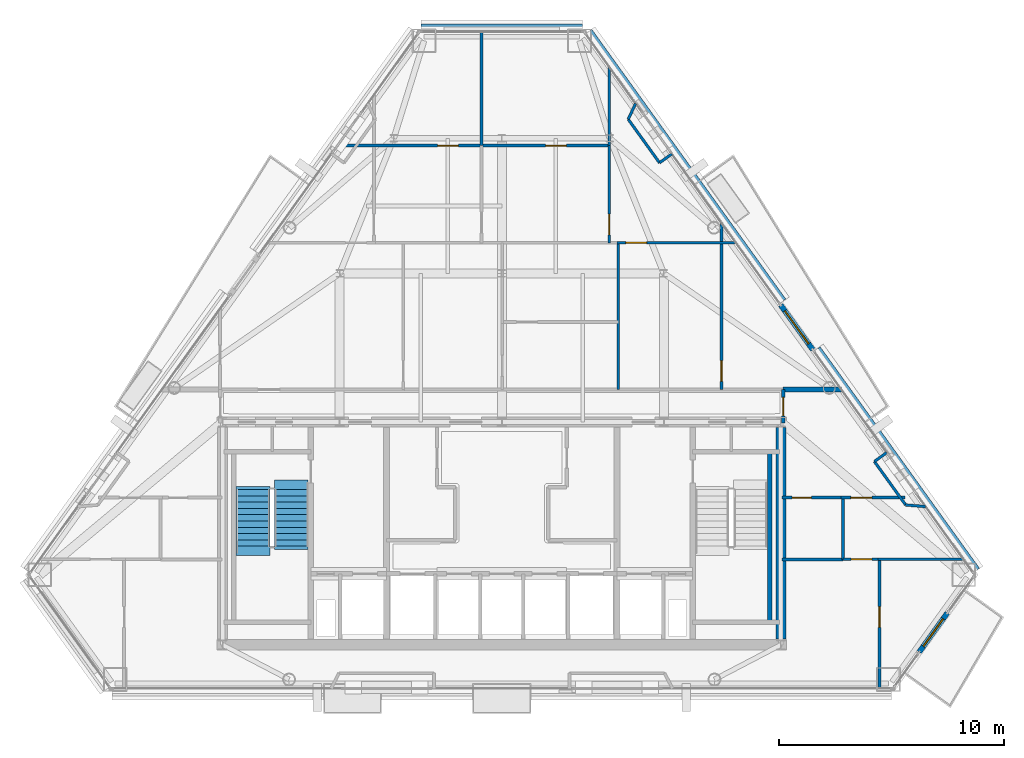
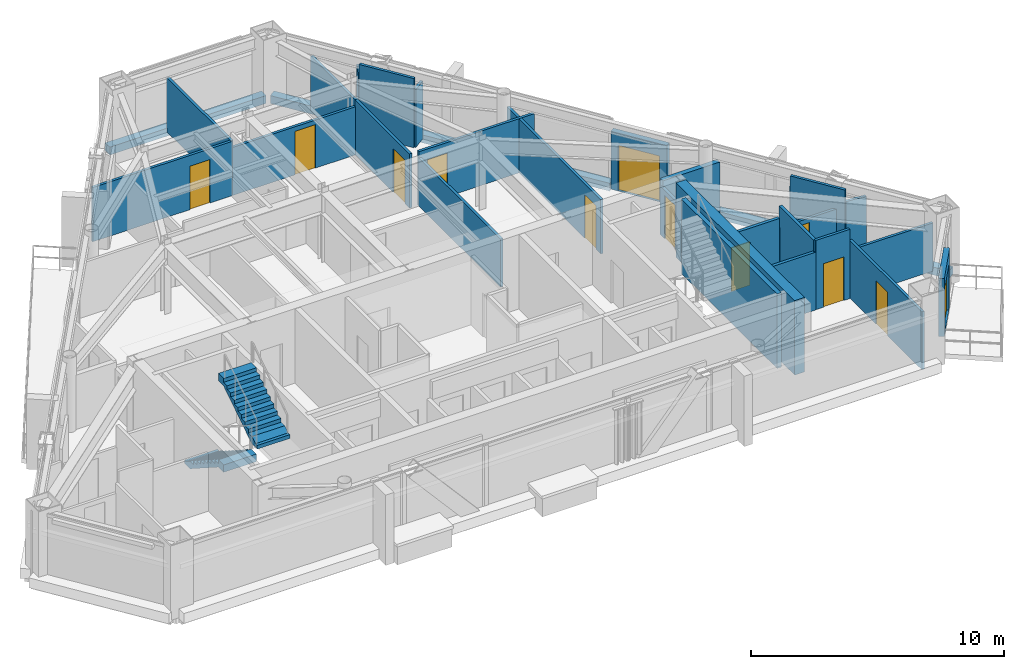
# One storey, part 9 of 12: 30 walls, 12 doors, 2 stair flights, 12 openings, 1 element without a shape of its own.
"""IFC4 building model written with IfcOpenShell, lengths in metres."""

import ifcopenshell
import ifcopenshell.guid

model = None  # the IFC model being written
_history = None  # IfcOwnerHistory: only IFC2X3 demands one
_inside = {}  # id of a spatial element -> (the spatial element, [elements in it])
_under = {}  # id of a project, library or spatial element -> (it, [spatial elements below it])
_declared = {}  # id of a project -> (the project, [libraries it declares])
_typed = {}  # id of a type object -> (the type object, [elements of that type])
_made_of = {}  # id of a material, layer set ... -> (it, [elements and type objects made of it])


def new_model(schema):
    """Start an empty IFC model of exactly this schema.

    Asked for "IFC4X3", IfcOpenShell would pick the latest addendum, in which some entities
    have other attributes; the version numbers below select the first issue.
    IFC2X3 requires an IfcOwnerHistory on every rooted entity: one is made here for all.
    """
    global model, _history
    if schema == "IFC4X3":
        model = ifcopenshell.file(schema_version=(4, 3, 0, 0))
    else:
        model = ifcopenshell.file(schema=schema)
    _inside.clear()
    _under.clear()
    _declared.clear()
    _typed.clear()
    _made_of.clear()
    _history = None
    if model.schema == "IFC2X3":
        org = make("IfcOrganization", Name="unknown")
        user = make(
            "IfcPersonAndOrganization",
            ThePerson=make("IfcPerson", FamilyName="unknown"),
            TheOrganization=org,
        )
        app = make(
            "IfcApplication",
            ApplicationDeveloper=org,
            Version="unknown",
            ApplicationFullName="unknown",
            ApplicationIdentifier="unknown",
        )
        _history = make(
            "IfcOwnerHistory",
            OwningUser=user,
            OwningApplication=app,
            ChangeAction="ADDED",
            CreationDate=0,
        )
    return model


def make(cls, **values):
    """One entity of the class cls with the attributes given. An attribute that is None is left unset."""
    return model.create_entity(
        cls, **{name: value for name, value in values.items() if value is not None}
    )


def rooted(cls, **values):
    """An entity with a GlobalId (a new one), such as an element, a storey or a relation."""
    return make(cls, GlobalId=ifcopenshell.guid.new(), OwnerHistory=_history, **values)


def si_unit(unit_type, name, prefix=None):
    """IfcSIUnit, for example si_unit("LENGTHUNIT", "METRE", prefix="MILLI")."""
    return make("IfcSIUnit", UnitType=unit_type, Prefix=prefix, Name=name)


def assignment(units):
    """IfcUnitAssignment: the units of a project."""
    return None if units is None else make("IfcUnitAssignment", Units=units)


def point(xyz):
    """IfcCartesianPoint."""
    return None if xyz is None else make("IfcCartesianPoint", Coordinates=xyz)


def direction(xyz):
    """IfcDirection."""
    return None if xyz is None else make("IfcDirection", DirectionRatios=xyz)


def frame(location, z_axis=None, x_axis=None):
    """IfcAxis2Placement3D, a coordinate frame: its origin and axes. An axis left out is left unset."""
    return make(
        "IfcAxis2Placement3D",
        Location=point(location),
        Axis=direction(z_axis),
        RefDirection=direction(x_axis),
    )


def frame_2d(location, x_axis=None):
    """IfcAxis2Placement2D, a coordinate frame in the plane: its origin and x axis."""
    return make(
        "IfcAxis2Placement2D", Location=point(location), RefDirection=direction(x_axis)
    )


def origin():
    """The frame at (0, 0, 0) with its axes left unset."""
    return frame((0.0, 0.0, 0.0))


def place(relative_to, where):
    """IfcLocalPlacement: puts the frame where relative to a parent placement (None: the world)."""
    return make(
        "IfcLocalPlacement", PlacementRelTo=relative_to, RelativePlacement=where
    )


def context(
    kind, dimensions, precision=None, world=None, true_north=None, identifier=None
):
    """IfcGeometricRepresentationContext, for example the 3D "Model" context."""
    return make(
        "IfcGeometricRepresentationContext",
        ContextIdentifier=identifier,
        ContextType=kind,
        CoordinateSpaceDimension=dimensions,
        Precision=precision,
        WorldCoordinateSystem=world,
        TrueNorth=true_north,
    )


def subcontext(parent, identifier, kind, view, scale=None):
    """IfcGeometricRepresentationSubContext, for example "Body" below "Model"."""
    return make(
        "IfcGeometricRepresentationSubContext",
        ContextIdentifier=identifier,
        ContextType=kind,
        ParentContext=parent,
        TargetScale=scale,
        TargetView=view,
    )


def project(units=None, contexts=None):
    """IfcProject with its units and contexts."""
    return rooted(
        "IfcProject",
        Name="project",
        RepresentationContexts=contexts,
        UnitsInContext=assignment(units),
    )


def spatial(cls, under=None, at=None, **own):
    """A site, building, storey or space (cls), placed at a placement, below another one or the project."""
    s = rooted(cls, ObjectPlacement=at, **own)
    if under is not None:
        _under.setdefault(under.id(), (under, []))[1].append(s)
    return s


def polyline(points):
    """IfcPolyline through the points."""
    return make("IfcPolyline", Points=[point(p) for p in points])


def profile(cls, at=None, kind="AREA", **sizes):
    """A parametric profile (cls). Its sizes go by their IFC names, for example OverallWidth=200.0."""
    return make(cls, ProfileType=kind, Position=at, **sizes)


def rectangle(**sizes):
    """IfcRectangleProfileDef."""
    return profile("IfcRectangleProfileDef", **sizes)


def outline(outer, holes=None, kind="AREA"):
    """IfcArbitraryClosedProfileDef: a profile drawn as a closed curve; with holes, ...WithVoids."""
    if holes is None:
        return make("IfcArbitraryClosedProfileDef", ProfileType=kind, OuterCurve=outer)
    return make(
        "IfcArbitraryProfileDefWithVoids",
        ProfileType=kind,
        OuterCurve=outer,
        InnerCurves=holes,
    )


def extrude(swept, where, along, depth):
    """IfcExtrudedAreaSolid: the profile swept, set in the frame where, extruded along a direction by depth."""
    return make(
        "IfcExtrudedAreaSolid",
        SweptArea=swept,
        Position=where,
        ExtrudedDirection=direction(along),
        Depth=depth,
    )


def shape(context_of_items, identifier, shape_type, items):
    """IfcShapeRepresentation: the items that make up one representation, for example the "Body"."""
    return make(
        "IfcShapeRepresentation",
        ContextOfItems=context_of_items,
        RepresentationIdentifier=identifier,
        RepresentationType=shape_type,
        Items=items,
    )


def material(Name=None, Category=None):
    """IfcMaterial."""
    return make("IfcMaterial", Name=Name, Category=Category)


def layer(
    of_material, thickness, ventilated=None, Name=None, Category=None, Priority=None
):
    """IfcMaterialLayer: one layer of a wall or slab, of a material (None: an air gap)."""
    return make(
        "IfcMaterialLayer",
        Material=of_material,
        LayerThickness=thickness,
        IsVentilated=ventilated,
        Name=Name,
        Category=Category,
        Priority=Priority,
    )


def layer_set(layers, Name=None):
    """IfcMaterialLayerSet."""
    return make("IfcMaterialLayerSet", MaterialLayers=layers, LayerSetName=Name)


def made_of(thing, what):
    """Note that an element or type object is made of a material, layer set ...; save() writes the relation."""
    if what is not None:
        _made_of.setdefault(what.id(), (what, []))[1].append(thing)
    return thing


def type_object(cls, material=None, **own):
    """A type object (cls), such as IfcWallType, which elements share."""
    return made_of(rooted(cls, **own), material)


def element(
    cls,
    number,
    at=None,
    inside=None,
    cuts=None,
    type_object=None,
    material=None,
    context=None,
    identifier="Body",
    shape_type=None,
    held_by="IfcProductDefinitionShape",
    body=None,
    shapes=None,
    **own,
):
    """One element of the class cls, such as IfcWall. Its Tag is "e" and its number.

    at: its placement. inside: the storey or other place that contains it. cuts: it is an
    opening in that element (IfcRelVoidsElement). A single representation is given by context,
    identifier, shape_type and body (its items); several are given by shapes. held_by: the class
    of the entity that holds the representations. save() writes the other relations.
    """
    e = rooted(cls, Tag="e%d" % number, ObjectPlacement=at, **own)
    if body is not None:
        shapes = [shape(context, identifier, shape_type, body)]
    if shapes is not None:
        e.Representation = make(held_by, Representations=shapes)
    if inside is not None:
        _inside.setdefault(inside.id(), (inside, []))[1].append(e)
    if cuts is not None:
        rooted(
            "IfcRelVoidsElement", RelatingBuildingElement=cuts, RelatedOpeningElement=e
        )
    if type_object is not None:
        _typed.setdefault(type_object.id(), (type_object, []))[1].append(e)
    return made_of(e, material)


def fill(opening, filler):
    """IfcRelFillsElement: the door or window that sits in an opening."""
    return rooted(
        "IfcRelFillsElement",
        RelatingOpeningElement=opening,
        RelatedBuildingElement=filler,
    )


def aggregate(whole, parts):
    """IfcRelAggregates: a whole, such as a stair, and the parts it consists of."""
    return rooted("IfcRelAggregates", RelatingObject=whole, RelatedObjects=parts)


def save(model, path):
    """Write the relations noted so far, then the file.

    IfcRelAggregates (storeys below a building ...), IfcRelContainedInSpatialStructure (elements
    in a storey), IfcRelDefinesByType, IfcRelAssociatesMaterial and IfcRelDeclares: one each for
    every whole, place, type object, material and project.
    """
    for whole, parts in _under.values():
        aggregate(whole, parts)
    for where, things in _inside.values():
        rooted(
            "IfcRelContainedInSpatialStructure",
            RelatedElements=things,
            RelatingStructure=where,
        )
    for kind, things in _typed.values():
        rooted("IfcRelDefinesByType", RelatedObjects=things, RelatingType=kind)
    for what, things in _made_of.values():
        rooted("IfcRelAssociatesMaterial", RelatedObjects=things, RelatingMaterial=what)
    for by, libraries in _declared.values():
        rooted("IfcRelDeclares", RelatingContext=by, RelatedDefinitions=libraries)
    model.write(path)


model = new_model("IFC4")

# Units and contexts
model_context = context("Model", 3, precision=1e-05, world=origin(), true_north=direction((0.0, 1.0)))
body_context = subcontext(model_context, "Body", "Model", "MODEL_VIEW")
ifc_project = project(units=[si_unit("LENGTHUNIT", "METRE"), si_unit("AREAUNIT", "SQUARE_METRE"), si_unit("VOLUMEUNIT", "CUBIC_METRE"), si_unit("PLANEANGLEUNIT", "RADIAN"), si_unit("MASSUNIT", "GRAM", prefix="KILO")], contexts=[model_context])

# Site, building, storey
site_placement = place(None, origin())
site = spatial("IfcSite", under=ifc_project, at=site_placement, CompositionType="ELEMENT")
building_placement = place(site_placement, origin())
building = spatial("IfcBuilding", under=site, at=building_placement, Name="Talgorran Terracotta Tower", CompositionType="ELEMENT")
storey_placement = place(building_placement, frame((0.0, 0.0, 192.89990234375)))
storey = spatial("IfcBuildingStorey", under=building, at=storey_placement, Name="L50", CompositionType="ELEMENT", Elevation=192.89990234375)

# Wall, opening, door
ifc_material_1 = material(Name="Concrete C40/50", Category="concrete")
ifc_layer_1 = layer(ifc_material_1, 0.239990234375, Name="WT_BALCONY_SPAND")
ifc_layer_set_1 = layer_set([ifc_layer_1], Name="Concrete C40/50")
wall_type_1 = type_object("IfcWallType", Name="WT_BALCONY_SPAND", PredefinedType="STANDARD", material=ifc_layer_set_1)
wall_1_placement = place(storey_placement, frame((13.819091796875, -0.98681640625, -0.014892578125), z_axis=(0.0, 0.0, 1.0), x_axis=(-0.583951454754, 0.811788579921, 0.0)))
wall_1 = element("IfcWall", 1, at=wall_1_placement, inside=storey, type_object=wall_type_1, Name="WL-L50-BALP-BAL-NE", PredefinedType="STANDARD", context=body_context, shape_type="SweptSolid", body=[
    extrude(rectangle(XDim=2.43994140625, YDim=0.239990234375, at=frame_2d((1.219970703125, 0.0))), origin(), (0.0, 0.0, 1.0), 2.806884765625),
])
opening_1_placement = place(wall_1_placement, frame((0.320068359375, 0.0, 0.014892578125)))
opening_1 = element("IfcOpeningElement", 2, at=opening_1_placement, cuts=wall_1, Name="Opening D-BAL-L50-1", PredefinedType="OPENING", context=body_context, shape_type="SweptSolid", body=[
    extrude(rectangle(XDim=1.806048828125, YDim=2.203951171875, at=frame_2d((0.89990234375, 1.10205078125))), frame((0.0, 0.1298828125, 0.0), z_axis=(0.0, -1.0, 0.0), x_axis=(1.0, 0.0, 0.0)), (0.0, 0.0, 1.0), 0.260009765625),
])
ifc_material_2 = material(Name="Thermally Broken Aluminium", Category="aluminium")
door_type_1 = type_object("IfcDoorType", Name="DT_BALC_1800", OperationType="SLIDING_TO_LEFT", PredefinedType="DOOR", material=ifc_material_2)
door_1_placement = place(opening_1_placement, origin())
door_1 = element("IfcDoor", 3, at=door_1_placement, inside=storey, type_object=door_type_1, Name="DR-L50-BAL-BAL-NE", OperationType="SLIDING_TO_LEFT", OverallHeight=2.199951171875, OverallWidth=1.800048828125, PredefinedType="DOOR", context=body_context, shape_type="SweptSolid", body=[
    extrude(rectangle(XDim=1.800048828125, YDim=2.199951171875, at=frame_2d((0.89990234375, 1.10009765625))), frame((0.0, 0.02490234375, 0.0), z_axis=(0.0, -1.0, 0.0), x_axis=(1.0, 0.0, 0.0)), (0.0, 0.0, 1.0), 0.050048828125),
])
fill(opening_1, door_1)

wall_2_placement = place(storey_placement, frame((18.54833984375, -14.423583984375, -0.014892578125), z_axis=(0.0, 0.0, 1.0), x_axis=(0.583965085393, 0.811778774693, 0.0)))
wall_2 = element("IfcWall", 4, at=wall_2_placement, inside=storey, type_object=wall_type_1, Name="WL-L50-BALP-BAL-SE", PredefinedType="STANDARD", context=body_context, shape_type="SweptSolid", body=[
    extrude(rectangle(XDim=2.14013671875, YDim=0.239990234375, at=frame_2d((1.070068359375, 0.0))), origin(), (0.0, 0.0, 1.0), 2.806884765625),
])
opening_2_placement = place(wall_2_placement, frame((0.320068359375, 0.0, 0.014892578125)))
opening_2 = element("IfcOpeningElement", 5, at=opening_2_placement, cuts=wall_2, Name="Opening D-BAL-L50-3", PredefinedType="OPENING", context=body_context, shape_type="SweptSolid", body=[
    extrude(rectangle(XDim=1.506, YDim=2.203951171875, at=frame_2d((0.75, 1.10205078125))), frame((0.0, 0.1298828125, 0.0), z_axis=(0.0, -1.0, 0.0), x_axis=(1.0, 0.0, 0.0)), (0.0, 0.0, 1.0), 0.260009765625),
])
door_type_2 = type_object("IfcDoorType", Name="DT_BALC_1500", OperationType="SLIDING_TO_RIGHT", PredefinedType="DOOR", material=ifc_material_2)
door_2_placement = place(opening_2_placement, origin())
door_2 = element("IfcDoor", 6, at=door_2_placement, inside=storey, type_object=door_type_2, Name="DR-L50-BAL-BAL-SE", OperationType="SLIDING_TO_RIGHT", OverallHeight=2.199951171875, OverallWidth=1.5, PredefinedType="DOOR", context=body_context, shape_type="SweptSolid", body=[
    extrude(rectangle(XDim=1.5, YDim=2.199951171875, at=frame_2d((0.75, 1.10009765625))), frame((0.0, 0.02490234375, 0.0), z_axis=(0.0, -1.0, 0.0), x_axis=(1.0, 0.0, 0.0)), (0.0, 0.0, 1.0), 0.050048828125),
])
fill(opening_2, door_2)

# Walls
ifc_material_3 = material(Name="Concrete C50/60", Category="concrete")
ifc_layer_2 = layer(ifc_material_3, 0.199951171875, Name="WT_CORE_200")
ifc_layer_set_2 = layer_set([ifc_layer_2], Name="Concrete C50/60")
wall_type_2 = type_object("IfcWallType", Name="WT_CORE_200", PredefinedType="SOLIDWALL", material=ifc_layer_set_2)
wall_3_placement = place(storey_placement, frame((11.89990234375, -13.10009765625, 0.0), z_axis=(0.0, 0.0, 1.0), x_axis=(0.0, 1.0, 0.0)))
element("IfcWall", 7, at=wall_3_placement, inside=storey, type_object=wall_type_2, Name="WL-L50-CW-ST2-E", PredefinedType="SOLIDWALL", context=body_context, shape_type="SweptSolid", body=[
    extrude(rectangle(XDim=7.580078125, YDim=0.199951171875, at=frame_2d((3.7900390625, 0.0))), origin(), (0.0, 0.0, 1.0), 3.60009765625),
])
ifc_material_4 = material(Name="Concrete C65/80", Category="concrete")
ifc_layer_3 = layer(ifc_material_4, 0.449951171875, Name="WT_CORE_EXT")
ifc_layer_set_3 = layer_set([ifc_layer_3], Name="Concrete C65/80")
wall_type_3 = type_object("IfcWallType", Name="WT_CORE_EXT", PredefinedType="SHEAR", material=ifc_layer_set_3)
wall_4_placement = place(storey_placement, frame((12.39990234375, -13.85009765625, 0.0), z_axis=(0.0, 0.0, 1.0), x_axis=(0.0, 1.0, 0.0)))
element("IfcWall", 8, at=wall_4_placement, inside=storey, type_object=wall_type_3, Name="WL-L50-CW-OUT-E", PredefinedType="SHEAR", context=body_context, shape_type="SweptSolid", body=[
    extrude(rectangle(XDim=9.400146484375, YDim=0.449951171875, at=frame_2d((4.7001953125, 0.0))), origin(), (0.0, 0.0, 1.0), 3.60009765625),
])

# Wall, opening, door
ifc_material_5 = material(Name="Fire-Rated Steel Stud Plasterboard", Category="steel")
ifc_layer_4 = layer(ifc_material_5, 0.14990234375, Name="WT_FIRE_150")
ifc_layer_set_4 = layer_set([ifc_layer_4], Name="Fire-Rated Steel Stud Plasterboard")
wall_type_4 = type_object("IfcWallType", Name="WT_FIRE_150", PredefinedType="PARTITIONING", material=ifc_layer_set_4)
wall_5_placement = place(storey_placement, frame((12.5, -4.239990234375, 0.0), z_axis=(0.0, 0.0, 1.0), x_axis=(0.0, 1.0, 0.0)))
wall_5 = element("IfcWall", 9, at=wall_5_placement, inside=storey, type_object=wall_type_4, Name="WL-L50-W-L50-R02", PredefinedType="PARTITIONING", context=body_context, shape_type="SweptSolid", body=[
    extrude(rectangle(XDim=1.47998046875, YDim=0.14990234375, at=frame_2d((0.739990234375, 0.0))), origin(), (0.0, 0.0, 1.0), 2.3251953125),
])
opening_3_placement = place(wall_5_placement, frame((0.31494140625, 0.0, 0.0)))
opening_3 = element("IfcOpeningElement", 10, at=opening_3_placement, cuts=wall_5, Name="Opening DR-L50-R06", PredefinedType="OPENING", context=body_context, shape_type="SweptSolid", body=[
    extrude(rectangle(XDim=0.826068359375, YDim=2.10409765625, at=frame_2d((0.41015625, 1.052001953125))), frame((0.0, 0.0849609375, 0.0), z_axis=(0.0, -1.0, 0.0), x_axis=(1.0, 0.0, 0.0)), (0.0, 0.0, 1.0), 0.169921875),
])
ifc_material_6 = material(Name="Moisture-Resistant Solid Timber", Category="wood")
door_type_3 = type_object("IfcDoorType", Name="DT_INT_820", OperationType="NOTDEFINED", PredefinedType="DOOR", material=ifc_material_6)
door_3_placement = place(opening_3_placement, origin())
door_3 = element("IfcDoor", 11, at=door_3_placement, inside=storey, type_object=door_type_3, Name="DR-L50-R06", OperationType="SINGLE_SWING_RIGHT", OverallHeight=2.10009765625, OverallWidth=0.820068359375, PredefinedType="DOOR", context=body_context, shape_type="SweptSolid", body=[
    extrude(rectangle(XDim=0.820068359375, YDim=2.10009765625, at=frame_2d((0.41015625, 1.050048828125))), frame((0.0, 0.02490234375, 0.0), z_axis=(0.0, -1.0, 0.0), x_axis=(1.0, 0.0, 0.0)), (0.0, 0.0, 1.0), 0.050048828125),
])
fill(opening_3, door_3)

# Walls
ifc_layer_5 = layer(ifc_material_1, 0.219970703125, Name="WT_PARAPET_RC")
ifc_layer_set_5 = layer_set([ifc_layer_5], Name="Concrete C40/50")
wall_type_5 = type_object("IfcWallType", Name="WT_PARAPET_RC", PredefinedType="PARAPET", material=ifc_layer_set_5)
wall_6_placement = place(storey_placement, frame((21.07666015625, -10.80126953125, -0.199951171875), z_axis=(0.0, 0.0, 1.0), x_axis=(-0.583976071479, 0.811770871576, 0.0)))
element("IfcWall", 12, at=wall_6_placement, inside=storey, type_object=wall_type_5, Name="L50 Striped Portal Precast Cornice F40", PredefinedType="PARAPET", context=body_context, shape_type="SweptSolid", body=[
    extrude(rectangle(XDim=12.115234375, YDim=0.360107421875, at=frame_2d((6.0576171875, 0.0))), origin(), (0.0, 0.0, 1.0), 0.380126953125),
])
wall_7_placement = place(storey_placement, frame((12.4716796875, 1.160400390625, -0.199951171875), z_axis=(0.0, 0.0, 1.0), x_axis=(-0.583990323954, 0.811760618365, 0.0)))
element("IfcWall", 13, at=wall_7_placement, inside=storey, type_object=wall_type_5, Name="L50 Striped Portal Precast Cornice F41", PredefinedType="PARAPET", context=body_context, shape_type="SweptSolid", body=[
    extrude(rectangle(XDim=14.751220703125, YDim=0.360107421875, at=frame_2d((7.37548828125, 0.0))), origin(), (0.0, 0.0, 1.0), 0.380126953125),
])
wall_8_placement = place(storey_placement, frame((3.5771484375, 13.298828125, -0.199951171875), z_axis=(0.0, 0.0, 1.0), x_axis=(-1.0, 0.0, 0.0)))
element("IfcWall", 14, at=wall_8_placement, inside=storey, type_object=wall_type_5, Name="L50 Striped Portal Precast Cornice F4", PredefinedType="PARAPET", context=body_context, shape_type="SweptSolid", body=[
    extrude(rectangle(XDim=7.154296875, YDim=0.360107421875, at=frame_2d((3.5771484375, 0.0))), origin(), (0.0, 0.0, 1.0), 0.380126953125),
])
ifc_material_7 = material(Name="Acoustic Masonry and Plasterboard", Category="masonry")
ifc_layer_6 = layer(ifc_material_7, 0.219970703125, Name="WT_PARTY_220")
ifc_layer_set_6 = layer_set([ifc_layer_6], Name="Acoustic Masonry and Plasterboard")
wall_type_6 = type_object("IfcWallType", Name="WT_PARTY_220", PredefinedType="PARTITIONING", material=ifc_layer_set_6)
wall_9_placement = place(storey_placement, frame((12.5, -2.760009765625, 0.0), z_axis=(0.0, 0.0, 1.0), x_axis=(1.0, 0.0, 0.0)))
element("IfcWall", 15, at=wall_9_placement, inside=storey, type_object=wall_type_6, Name="WL-L50-W-L50-R18", PredefinedType="PARTITIONING", context=body_context, shape_type="SweptSolid", body=[
    extrude(rectangle(XDim=2.5947265625, YDim=0.219970703125, at=frame_2d((1.29736328125, 0.0))), origin(), (0.0, 0.0, 1.0), 2.625),
])

# Wall, opening, door
ifc_material_8 = material(Name="Insulated Steel Stud Plasterboard", Category="steel")
ifc_layer_7 = layer(ifc_material_8, 0.1201171875, Name="WT_PART_120")
ifc_layer_set_7 = layer_set([ifc_layer_7], Name="Insulated Steel Stud Plasterboard")
wall_type_7 = type_object("IfcWallType", Name="WT_PART_120", PredefinedType="PARTITIONING", material=ifc_layer_set_7)
wall_10_placement = place(storey_placement, frame((9.760009765625, -2.760009765625, 0.0), z_axis=(0.0, 0.0, 1.0), x_axis=(0.0, 1.0, 0.0)))
wall_10 = element("IfcWall", 16, at=wall_10_placement, inside=storey, type_object=wall_type_7, Name="WL-L50-W-L50-R46", PredefinedType="PARTITIONING", context=body_context, shape_type="SweptSolid", body=[
    extrude(rectangle(XDim=7.41552734375, YDim=0.1201171875, at=frame_2d((3.707763671875, 0.0))), origin(), (0.0, 0.0, 1.0), 2.625),
])
opening_4_placement = place(wall_10_placement, frame((0.360107421875, 0.0, 0.0)))
opening_4 = element("IfcOpeningElement", 17, at=opening_4_placement, cuts=wall_10, Name="Opening DR-L50-R23", PredefinedType="OPENING", context=body_context, shape_type="SweptSolid", body=[
    extrude(rectangle(XDim=0.925921875, YDim=2.10409765625, at=frame_2d((0.4599609375, 1.052001953125))), frame((0.0, 0.070068359375, 0.0), z_axis=(0.0, -1.0, 0.0), x_axis=(1.0, 0.0, 0.0)), (0.0, 0.0, 1.0), 0.14013671875),
])
ifc_material_9 = material(Name="Solid-Core Painted Timber", Category="wood")
door_type_4 = type_object("IfcDoorType", Name="DT_INT_920", OperationType="NOTDEFINED", PredefinedType="DOOR", material=ifc_material_9)
door_4_placement = place(opening_4_placement, origin())
door_4 = element("IfcDoor", 18, at=door_4_placement, inside=storey, type_object=door_type_4, Name="DR-L50-R23", OperationType="SINGLE_SWING_LEFT", OverallHeight=2.10009765625, OverallWidth=0.919921875, PredefinedType="DOOR", context=body_context, shape_type="SweptSolid", body=[
    extrude(rectangle(XDim=0.919921875, YDim=2.10009765625, at=frame_2d((0.4599609375, 1.050048828125))), frame((0.0, 0.02490234375, 0.0), z_axis=(0.0, -1.0, 0.0), x_axis=(1.0, 0.0, 0.0)), (0.0, 0.0, 1.0), 0.050048828125),
])
fill(opening_4, door_4)

wall_11_placement = place(storey_placement, frame((-7.29638671875, 8.080078125, 0.0), z_axis=(0.0, 0.0, 1.0), x_axis=(1.0, 0.0, 0.0)))
wall_11 = element("IfcWall", 19, at=wall_11_placement, inside=storey, type_object=wall_type_7, Name="WL-L50-W-L50-R39", PredefinedType="PARTITIONING", context=body_context, shape_type="SweptSolid", body=[
    extrude(rectangle(XDim=6.396484375, YDim=0.1201171875, at=frame_2d((3.1982421875, 0.0))), origin(), (0.0, 0.0, 1.0), 2.625),
])
opening_5_placement = place(wall_11_placement, frame((4.44140625, 0.0, 0.0)))
opening_5 = element("IfcOpeningElement", 20, at=opening_5_placement, cuts=wall_11, Name="Opening DR-L50-R18", PredefinedType="OPENING", context=body_context, shape_type="SweptSolid", body=[
    extrude(rectangle(XDim=0.925921875, YDim=2.10409765625, at=frame_2d((0.4599609375, 1.052001953125))), frame((0.0, 0.070068359375, 0.0), z_axis=(0.0, -1.0, 0.0), x_axis=(1.0, 0.0, 0.0)), (0.0, 0.0, 1.0), 0.14013671875),
])
door_5_placement = place(opening_5_placement, origin())
door_5 = element("IfcDoor", 21, at=door_5_placement, inside=storey, type_object=door_type_4, Name="DR-L50-R18", OperationType="SINGLE_SWING_RIGHT", OverallHeight=2.10009765625, OverallWidth=0.919921875, PredefinedType="DOOR", context=body_context, shape_type="SweptSolid", body=[
    extrude(rectangle(XDim=0.919921875, YDim=2.10009765625, at=frame_2d((0.4599609375, 1.050048828125))), frame((0.0, 0.02490234375, 0.0), z_axis=(0.0, -1.0, 0.0), x_axis=(1.0, 0.0, 0.0)), (0.0, 0.0, 1.0), 0.050048828125),
])
fill(opening_5, door_5)

wall_12_placement = place(storey_placement, frame((16.780029296875, -16.041015625, 0.0), z_axis=(0.0, 0.0, 1.0), x_axis=(0.0, 1.0, 0.0)))
wall_12 = element("IfcWall", 22, at=wall_12_placement, inside=storey, type_object=wall_type_7, Name="WL-L50-W-L50-R23", PredefinedType="PARTITIONING", context=body_context, shape_type="SweptSolid", body=[
    extrude(rectangle(XDim=5.740966796875, YDim=0.1201171875, at=frame_2d((2.87060546875, 0.0))), origin(), (0.0, 0.0, 1.0), 2.7919921875),
])
opening_6_placement = place(wall_12_placement, frame((2.718017578125, 0.0, 0.0)))
opening_6 = element("IfcOpeningElement", 23, at=opening_6_placement, cuts=wall_12, Name="Opening DR-L50-R10", PredefinedType="OPENING", context=body_context, shape_type="SweptSolid", body=[
    extrude(rectangle(XDim=0.925921875, YDim=2.10409765625, at=frame_2d((0.4599609375, 1.052001953125))), frame((0.0, 0.070068359375, 0.0), z_axis=(0.0, -1.0, 0.0), x_axis=(1.0, 0.0, 0.0)), (0.0, 0.0, 1.0), 0.14013671875),
])
door_6_placement = place(opening_6_placement, origin())
door_6 = element("IfcDoor", 24, at=door_6_placement, inside=storey, type_object=door_type_4, Name="DR-L50-R10", OperationType="SINGLE_SWING_RIGHT", OverallHeight=2.10009765625, OverallWidth=0.919921875, PredefinedType="DOOR", context=body_context, shape_type="SweptSolid", body=[
    extrude(rectangle(XDim=0.919921875, YDim=2.10009765625, at=frame_2d((0.4599609375, 1.050048828125))), frame((0.0, 0.02490234375, 0.0), z_axis=(0.0, -1.0, 0.0), x_axis=(1.0, 0.0, 0.0)), (0.0, 0.0, 1.0), 0.050048828125),
])
fill(opening_6, door_6)

wall_13_placement = place(storey_placement, frame((-0.89990234375, 8.080078125, 0.0), z_axis=(0.0, 0.0, 1.0), x_axis=(1.0, 0.0, 0.0)))
wall_13 = element("IfcWall", 25, at=wall_13_placement, inside=storey, type_object=wall_type_7, Name="WL-L50-W-L50-R42", PredefinedType="PARTITIONING", context=body_context, shape_type="SweptSolid", body=[
    extrude(rectangle(XDim=5.679931640625, YDim=0.1201171875, at=frame_2d((2.83984375, 0.0))), origin(), (0.0, 0.0, 1.0), 2.3251953125),
])
opening_7_placement = place(wall_13_placement, frame((2.855712890625, 0.0, 0.0)))
opening_7 = element("IfcOpeningElement", 26, at=opening_7_placement, cuts=wall_13, Name="Opening DR-L50-R20", PredefinedType="OPENING", context=body_context, shape_type="SweptSolid", body=[
    extrude(rectangle(XDim=0.925921875, YDim=2.10409765625, at=frame_2d((0.4599609375, 1.052001953125))), frame((0.0, 0.070068359375, 0.0), z_axis=(0.0, -1.0, 0.0), x_axis=(1.0, 0.0, 0.0)), (0.0, 0.0, 1.0), 0.14013671875),
])
door_7_placement = place(opening_7_placement, origin())
door_7 = element("IfcDoor", 27, at=door_7_placement, inside=storey, type_object=door_type_4, Name="DR-L50-R20", OperationType="SINGLE_SWING_RIGHT", OverallHeight=2.10009765625, OverallWidth=0.919921875, PredefinedType="DOOR", context=body_context, shape_type="SweptSolid", body=[
    extrude(rectangle(XDim=0.919921875, YDim=2.10009765625, at=frame_2d((0.4599609375, 1.050048828125))), frame((0.0, 0.02490234375, 0.0), z_axis=(0.0, -1.0, 0.0), x_axis=(1.0, 0.0, 0.0)), (0.0, 0.0, 1.0), 0.050048828125),
])
fill(opening_7, door_7)

wall_14_placement = place(storey_placement, frame((5.1201171875, 3.760009765625, 0.0), z_axis=(0.0, 0.0, 1.0), x_axis=(1.0, 0.0, 0.0)))
wall_14 = element("IfcWall", 28, at=wall_14_placement, inside=storey, type_object=wall_type_7, Name="WL-L50-W-L50-R45", PredefinedType="PARTITIONING", context=body_context, shape_type="SweptSolid", body=[
    extrude(rectangle(XDim=5.2841796875, YDim=0.1201171875, at=frame_2d((2.64208984375, 0.0))), origin(), (0.0, 0.0, 1.0), 2.625),
])
opening_8_placement = place(wall_14_placement, frame((0.39697265625, 0.0, 0.0)))
opening_8 = element("IfcOpeningElement", 29, at=opening_8_placement, cuts=wall_14, Name="Opening DR-L50-R22", PredefinedType="OPENING", context=body_context, shape_type="SweptSolid", body=[
    extrude(rectangle(XDim=0.925921875, YDim=2.10409765625, at=frame_2d((0.4599609375, 1.052001953125))), frame((0.0, 0.070068359375, 0.0), z_axis=(0.0, -1.0, 0.0), x_axis=(1.0, 0.0, 0.0)), (0.0, 0.0, 1.0), 0.14013671875),
])
door_8_placement = place(opening_8_placement, origin())
door_8 = element("IfcDoor", 30, at=door_8_placement, inside=storey, type_object=door_type_4, Name="DR-L50-R22", OperationType="SINGLE_SWING_RIGHT", OverallHeight=2.10009765625, OverallWidth=0.919921875, PredefinedType="DOOR", context=body_context, shape_type="SweptSolid", body=[
    extrude(rectangle(XDim=0.919921875, YDim=2.10009765625, at=frame_2d((0.4599609375, 1.050048828125))), frame((0.0, 0.02490234375, 0.0), z_axis=(0.0, -1.0, 0.0), x_axis=(1.0, 0.0, 0.0)), (0.0, 0.0, 1.0), 0.050048828125),
])
fill(opening_8, door_8)

# Wall
wall_15_placement = place(storey_placement, frame((-0.89990234375, 8.080078125, 0.0), z_axis=(0.0, 0.0, 1.0), x_axis=(0.0, 1.0, 0.0)))
element("IfcWall", 31, at=wall_15_placement, inside=storey, type_object=wall_type_7, Name="WL-L50-W-L50-R41", PredefinedType="PARTITIONING", context=body_context, shape_type="SweptSolid", body=[
    extrude(rectangle(XDim=5.058837890625, YDim=0.1201171875, at=frame_2d((2.529296875, 0.0))), origin(), (0.0, 0.0, 1.0), 2.625),
])

# Wall, opening, door
wall_16_placement = place(storey_placement, frame((4.780029296875, 3.760009765625, 0.0), z_axis=(0.0, 0.0, 1.0), x_axis=(0.0, 1.0, 0.0)))
wall_16 = element("IfcWall", 32, at=wall_16_placement, inside=storey, type_object=wall_type_7, Name="WL-L50-W-L50-R43", PredefinedType="PARTITIONING", context=body_context, shape_type="SweptSolid", body=[
    extrude(rectangle(XDim=4.320068359375, YDim=0.1201171875, at=frame_2d((2.16015625, 0.0))), origin(), (0.0, 0.0, 1.0), 2.625),
])
opening_9_placement = place(wall_16_placement, frame((0.35693359375, 0.0, 0.0)))
opening_9 = element("IfcOpeningElement", 33, at=opening_9_placement, cuts=wall_16, Name="Opening DR-L50-R21", PredefinedType="OPENING", context=body_context, shape_type="SweptSolid", body=[
    extrude(rectangle(XDim=0.925921875, YDim=2.10409765625, at=frame_2d((0.4599609375, 1.052001953125))), frame((0.0, 0.070068359375, 0.0), z_axis=(0.0, -1.0, 0.0), x_axis=(1.0, 0.0, 0.0)), (0.0, 0.0, 1.0), 0.14013671875),
])
door_9_placement = place(opening_9_placement, origin())
door_9 = element("IfcDoor", 34, at=door_9_placement, inside=storey, type_object=door_type_4, Name="DR-L50-R21", OperationType="SINGLE_SWING_LEFT", OverallHeight=2.10009765625, OverallWidth=0.919921875, PredefinedType="DOOR", context=body_context, shape_type="SweptSolid", body=[
    extrude(rectangle(XDim=0.919921875, YDim=2.10009765625, at=frame_2d((0.4599609375, 1.050048828125))), frame((0.0, 0.02490234375, 0.0), z_axis=(0.0, -1.0, 0.0), x_axis=(1.0, 0.0, 0.0)), (0.0, 0.0, 1.0), 0.050048828125),
])
fill(opening_9, door_9)

# Walls
wall_17_placement = place(storey_placement, frame((16.719970703125, -10.300048828125, 0.0), z_axis=(0.0, 0.0, 1.0), x_axis=(1.0, 0.0, 0.0)))
element("IfcWall", 35, at=wall_17_placement, inside=storey, type_object=wall_type_7, Name="WL-L50-W-L50-R22", PredefinedType="PARTITIONING", context=body_context, shape_type="SweptSolid", body=[
    extrude(rectangle(XDim=3.799072265625, YDim=0.1201171875, at=frame_2d((1.8994140625, 0.0))), origin(), (0.0, 0.0, 1.0), 2.3251953125),
])
wall_18_placement = place(storey_placement, frame((5.179931640625, -2.760009765625, 0.0), z_axis=(0.0, 0.0, 1.0), x_axis=(0.0, 1.0, 0.0)))
element("IfcWall", 36, at=wall_18_placement, inside=storey, type_object=wall_type_7, Name="WL-L50-W-L50-R36", PredefinedType="PARTITIONING", context=body_context, shape_type="SweptSolid", body=[
    extrude(rectangle(XDim=6.52001953125, YDim=0.1201171875, at=frame_2d((3.260009765625, 0.0))), origin(), (0.0, 0.0, 1.0), 2.3251953125),
])
wall_19_placement = place(storey_placement, frame((4.780029296875, 8.080078125, 0.0), z_axis=(0.0, 0.0, 1.0), x_axis=(0.0, 1.0, 0.0)))
element("IfcWall", 37, at=wall_19_placement, inside=storey, type_object=wall_type_7, Name="WL-L50-W-L50-R44", PredefinedType="PARTITIONING", context=body_context, shape_type="SweptSolid", body=[
    extrude(rectangle(XDim=3.497802734375, YDim=0.1201171875, at=frame_2d((1.7490234375, 0.0))), origin(), (0.0, 0.0, 1.0), 2.625),
])

# Wall, opening, door
wall_20_placement = place(storey_placement, frame((15.080078125, -7.56005859375, 0.0), z_axis=(0.0, 0.0, 1.0), x_axis=(1.0, 0.0, 0.0)))
wall_20 = element("IfcWall", 38, at=wall_20_placement, inside=storey, type_object=wall_type_7, Name="WL-L50-W-L50-R17", PredefinedType="PARTITIONING", context=body_context, shape_type="SweptSolid", body=[
    extrude(rectangle(XDim=2.83984375, YDim=0.1201171875, at=frame_2d((1.419921875, 0.0))), origin(), (0.0, 0.0, 1.0), 2.3251953125),
])
opening_10_placement = place(wall_20_placement, frame((0.435791015625, 0.0, 0.0)))
opening_10 = element("IfcOpeningElement", 39, at=opening_10_placement, cuts=wall_20, Name="Opening DR-L50-R08", PredefinedType="OPENING", context=body_context, shape_type="SweptSolid", body=[
    extrude(rectangle(XDim=0.925921875, YDim=2.10409765625, at=frame_2d((0.4599609375, 1.052001953125))), frame((0.0, 0.070068359375, 0.0), z_axis=(0.0, -1.0, 0.0), x_axis=(1.0, 0.0, 0.0)), (0.0, 0.0, 1.0), 0.14013671875),
])
door_10_placement = place(opening_10_placement, origin())
door_10 = element("IfcDoor", 40, at=door_10_placement, inside=storey, type_object=door_type_4, Name="DR-L50-R08", OperationType="SINGLE_SWING_RIGHT", OverallHeight=2.10009765625, OverallWidth=0.919921875, PredefinedType="DOOR", context=body_context, shape_type="SweptSolid", body=[
    extrude(rectangle(XDim=0.919921875, YDim=2.10009765625, at=frame_2d((0.4599609375, 1.050048828125))), frame((0.0, 0.02490234375, 0.0), z_axis=(0.0, -1.0, 0.0), x_axis=(1.0, 0.0, 0.0)), (0.0, 0.0, 1.0), 0.050048828125),
])
fill(opening_10, door_10)

# Walls
wall_21_placement = place(storey_placement, frame((7.009033203125, 7.31494140625, 0.0), z_axis=(0.0, 0.0, 1.0), x_axis=(-0.583982880723, 0.811765973063, 0.0)))
element("IfcWall", 41, at=wall_21_placement, inside=storey, type_object=wall_type_7, Name="WL-L50-BW-L50-18", PredefinedType="PARTITIONING", context=body_context, shape_type="SweptSolid", body=[
    extrude(rectangle(XDim=2.37841796875, YDim=0.1201171875, at=frame_2d((1.189208984375, 0.0))), origin(), (0.0, 0.0, 1.0), 3.35009765625),
])
wall_22_placement = place(storey_placement, frame((17.94482421875, -7.88623046875, 0.0), z_axis=(0.0, 0.0, 1.0), x_axis=(-0.583963896956, 0.811779629611, 0.0)))
element("IfcWall", 42, at=wall_22_placement, inside=storey, type_object=wall_type_7, Name="WL-L50-BW-L50-13", PredefinedType="PARTITIONING", context=body_context, shape_type="SweptSolid", body=[
    extrude(rectangle(XDim=2.3779296875, YDim=0.1201171875, at=frame_2d((1.18896484375, 0.0))), origin(), (0.0, 0.0, 1.0), 3.35009765625),
])

# Wall, opening, door
wall_23_placement = place(storey_placement, frame((15.159912109375, -10.300048828125, 0.0), z_axis=(0.0, 0.0, 1.0), x_axis=(1.0, 0.0, 0.0)))
wall_23 = element("IfcWall", 43, at=wall_23_placement, inside=storey, type_object=wall_type_7, Name="WL-L50-W-L50-R21", PredefinedType="PARTITIONING", context=body_context, shape_type="SweptSolid", body=[
    extrude(rectangle(XDim=1.55810546875, YDim=0.1201171875, at=frame_2d((0.779052734375, 0.0))), origin(), (0.0, 0.0, 1.0), 3.35009765625),
])
opening_11_placement = place(wall_23_placement, frame((0.360107421875, 0.0, 0.0)))
opening_11 = element("IfcOpeningElement", 44, at=opening_11_placement, cuts=wall_23, Name="Opening DR-L50-R09", PredefinedType="OPENING", context=body_context, shape_type="SweptSolid", body=[
    extrude(rectangle(XDim=0.925921875, YDim=2.10409765625, at=frame_2d((0.4599609375, 1.052001953125))), frame((0.0, 0.070068359375, 0.0), z_axis=(0.0, -1.0, 0.0), x_axis=(1.0, 0.0, 0.0)), (0.0, 0.0, 1.0), 0.14013671875),
])
door_11_placement = place(opening_11_placement, origin())
door_11 = element("IfcDoor", 45, at=door_11_placement, inside=storey, type_object=door_type_4, Name="DR-L50-R09", OperationType="SINGLE_SWING_LEFT", OverallHeight=2.10009765625, OverallWidth=0.919921875, PredefinedType="DOOR", context=body_context, shape_type="SweptSolid", body=[
    extrude(rectangle(XDim=0.919921875, YDim=2.10009765625, at=frame_2d((0.4599609375, 1.050048828125))), frame((0.0, 0.02490234375, 0.0), z_axis=(0.0, -1.0, 0.0), x_axis=(1.0, 0.0, 0.0)), (0.0, 0.0, 1.0), 0.050048828125),
])
fill(opening_11, door_11)

# Walls
wall_24_placement = place(storey_placement, frame((18.82421875, -7.961181640625, 0.0), z_axis=(0.0, 0.0, 1.0), x_axis=(-0.996387556444, 0.084922537432, 0.0)))
element("IfcWall", 46, at=wall_24_placement, inside=storey, type_object=wall_type_7, Name="WL-L50-BW-L50-12", PredefinedType="PARTITIONING", context=body_context, shape_type="SweptSolid", body=[
    extrude(rectangle(XDim=0.882568359375, YDim=0.1201171875, at=frame_2d((0.44140625, 0.0))), origin(), (0.0, 0.0, 1.0), 2.7919921875),
])
wall_25_placement = place(storey_placement, frame((5.6201171875, 9.24560546875, 0.0), z_axis=(0.0, 0.0, 1.0), x_axis=(0.418957614544, 0.9080057914, 0.0)))
element("IfcWall", 47, at=wall_25_placement, inside=storey, type_object=wall_type_7, Name="WL-L50-BW-L50-19", PredefinedType="PARTITIONING", context=body_context, shape_type="SweptSolid", body=[
    extrude(rectangle(XDim=0.769775390625, YDim=0.1201171875, at=frame_2d((0.384765625, 0.0))), origin(), (0.0, 0.0, 1.0), 2.7919921875),
])
wall_26_placement = place(storey_placement, frame((7.552978515625, 7.706298828125, 0.0), z_axis=(0.0, 0.0, 1.0), x_axis=(-0.811734696256, -0.584026354622, 0.0)))
element("IfcWall", 48, at=wall_26_placement, inside=storey, type_object=wall_type_7, Name="WL-L50-BW-L50-17", PredefinedType="PARTITIONING", context=body_context, shape_type="SweptSolid", body=[
    extrude(rectangle(XDim=0.670166015625, YDim=0.1201171875, at=frame_2d((0.3349609375, 0.0))), origin(), (0.0, 0.0, 1.0), 2.7919921875),
])
wall_27_placement = place(storey_placement, frame((16.55615234375, -5.955810546875, 0.0), z_axis=(0.0, 0.0, 1.0), x_axis=(0.811907418628, 0.583786213932, 0.0)))
element("IfcWall", 49, at=wall_27_placement, inside=storey, type_object=wall_type_7, Name="WL-L50-BW-L50-11", PredefinedType="PARTITIONING", context=body_context, shape_type="SweptSolid", body=[
    extrude(rectangle(XDim=0.669921875, YDim=0.1201171875, at=frame_2d((0.3349609375, 0.0))), origin(), (0.0, 0.0, 1.0), 2.7919921875),
])

# Wall, opening, door
ifc_material_10 = material(Name="Moisture-Resistant Stud Wall")
ifc_layer_8 = layer(ifc_material_10, 0.135009765625, Name="WT_PART_135")
ifc_layer_set_8 = layer_set([ifc_layer_8], Name="Moisture-Resistant Stud Wall")
wall_type_8 = type_object("IfcWallType", Name="WT_PART_135", PredefinedType="PARTITIONING", material=ifc_layer_set_8)
wall_28_placement = place(storey_placement, frame((12.43994140625, -7.56005859375, 0.0), z_axis=(0.0, 0.0, 1.0), x_axis=(1.0, 0.0, 0.0)))
wall_28 = element("IfcWall", 50, at=wall_28_placement, inside=storey, type_object=wall_type_8, Name="WL-L50-W-L50-R16", PredefinedType="PARTITIONING", context=body_context, shape_type="SweptSolid", body=[
    extrude(rectangle(XDim=2.637939453125, YDim=0.135009765625, at=frame_2d((1.31884765625, 0.0))), origin(), (0.0, 0.0, 1.0), 2.7919921875),
])
opening_12_placement = place(wall_28_placement, frame((0.458251953125, 0.0, 0.0)))
opening_12 = element("IfcOpeningElement", 51, at=opening_12_placement, cuts=wall_28, Name="Opening DR-L50-R07", PredefinedType="OPENING", context=body_context, shape_type="SweptSolid", body=[
    extrude(rectangle(XDim=0.85609765625, YDim=2.10409765625, at=frame_2d((0.425048828125, 1.052001953125))), frame((0.0, 0.07763671875, 0.0), z_axis=(0.0, -1.0, 0.0), x_axis=(1.0, 0.0, 0.0)), (0.0, 0.0, 1.0), 0.155029296875),
])
door_type_5 = type_object("IfcDoorType", Name="DT_INT_850", OperationType="NOTDEFINED", PredefinedType="DOOR", material=ifc_material_6)
door_12_placement = place(opening_12_placement, origin())
door_12 = element("IfcDoor", 52, at=door_12_placement, inside=storey, type_object=door_type_5, Name="DR-L50-R07", OperationType="SINGLE_SWING_LEFT", OverallHeight=2.10009765625, OverallWidth=0.85009765625, PredefinedType="DOOR", context=body_context, shape_type="SweptSolid", body=[
    extrude(rectangle(XDim=0.85009765625, YDim=2.10009765625, at=frame_2d((0.425048828125, 1.050048828125))), frame((0.0, 0.02490234375, 0.0), z_axis=(0.0, -1.0, 0.0), x_axis=(1.0, 0.0, 0.0)), (0.0, 0.0, 1.0), 0.050048828125),
])
fill(opening_12, door_12)

# Walls
wall_29_placement = place(storey_placement, frame((15.159912109375, -10.300048828125, 0.0), z_axis=(0.0, 0.0, 1.0), x_axis=(0.0, 1.0, 0.0)))
element("IfcWall", 53, at=wall_29_placement, inside=storey, type_object=wall_type_8, Name="WL-L50-W-L50-R19", PredefinedType="PARTITIONING", context=body_context, shape_type="SweptSolid", body=[
    extrude(rectangle(XDim=2.739990234375, YDim=0.135009765625, at=frame_2d((1.3701171875, 0.0))), origin(), (0.0, 0.0, 1.0), 3.35009765625),
])
wall_30_placement = place(storey_placement, frame((12.43994140625, -10.300048828125, 0.0), z_axis=(0.0, 0.0, 1.0), x_axis=(1.0, 0.0, 0.0)))
element("IfcWall", 54, at=wall_30_placement, inside=storey, type_object=wall_type_8, Name="WL-L50-W-L50-R20", PredefinedType="PARTITIONING", context=body_context, shape_type="SweptSolid", body=[
    extrude(rectangle(XDim=2.719970703125, YDim=0.135009765625, at=frame_2d((1.35986328125, 0.0))), origin(), (0.0, 0.0, 1.0), 2.7919921875),
])

# Stair, stair flights
stair_type = type_object("IfcStairType", Name="ST_FIRE_SCISSOR", PredefinedType="HALF_TURN_STAIR", material=ifc_material_1)
stair_placement = place(storey_placement, origin())
stair = element("IfcStair", 55, at=stair_placement, inside=storey, type_object=stair_type, Name="L50 West Protected Fire Stair ST-01", PredefinedType="HALF_TURN_STAIR")
ifc_layer_9 = layer(ifc_material_1, 0.179931640625, Name="STF_RC_1500")
ifc_layer_set_9 = layer_set([ifc_layer_9], Name="Concrete C40/50")
stair_flight_type = type_object("IfcStairFlightType", Name="STF_RC_1500", PredefinedType="STRAIGHT", material=ifc_layer_set_9)
stair_flight_1_placement = place(storey_placement, frame((-11.050048828125, -7.199951171875, 0.0), z_axis=(0.0, 0.0, 1.0), x_axis=(0.0, -1.0, 0.0)))
stair_flight_1 = element("IfcStairFlight", 56, at=stair_flight_1_placement, type_object=stair_flight_type, Name="ST-01 flight 1", NumberOfRisers=10, NumberOfTreads=9, PredefinedType="STRAIGHT", RiserHeight=0.18, TreadLength=0.28, context=body_context, shape_type="SweptSolid", body=[
    extrude(outline(polyline([(-0.139892578125, 0.0), (-0.139892578125, 0.179931640625), (0.0, 0.179931640625), (0.280029296875, 0.360107421875), (0.56005859375, 0.360107421875), (0.56005859375, 0.5400390625), (0.840087890625, 0.5400390625), (0.840087890625, 0.719970703125), (1.1201171875, 0.719970703125), (1.1201171875, 0.89990234375), (1.39990234375, 0.89990234375), (1.39990234375, 1.080078125), (1.679931640625, 1.080078125), (1.679931640625, 1.260009765625), (1.9599609375, 1.260009765625), (1.9599609375, 1.43994140625), (2.239990234375, 1.43994140625), (2.239990234375, 1.6201171875), (2.52001953125, 1.6201171875), (2.52001953125, 1.800048828125), (2.93994140625, 1.800048828125), (2.93994140625, 1.44189453125), (2.52001953125, 1.44189453125), (0.277099609375, 0.0), (-0.139892578125, 0.0)])), frame((0.0, 0.75, 0.0), z_axis=(0.0, -1.0, 0.0), x_axis=(1.0, 0.0, 0.0)), (0.0, 0.0, 1.0), 1.5),
])
stair_flight_2_placement = place(storey_placement, frame((-9.35009765625, -9.719970703125, 1.800048828125), z_axis=(0.0, 0.0, 1.0), x_axis=(0.0, 1.0, 0.0)))
stair_flight_2 = element("IfcStairFlight", 57, at=stair_flight_2_placement, type_object=stair_flight_type, Name="ST-01 flight 2", NumberOfRisers=10, NumberOfTreads=9, PredefinedType="STRAIGHT", RiserHeight=0.18, TreadLength=0.28, context=body_context, shape_type="SweptSolid", body=[
    extrude(outline(polyline([(-0.139892578125, 0.0), (-0.139892578125, 0.179931640625), (0.0, 0.179931640625), (0.280029296875, 0.360107421875), (0.56005859375, 0.360107421875), (0.56005859375, 0.5400390625), (0.840087890625, 0.5400390625), (0.840087890625, 0.719970703125), (1.1201171875, 0.719970703125), (1.1201171875, 0.89990234375), (1.39990234375, 0.89990234375), (1.39990234375, 1.080078125), (1.679931640625, 1.080078125), (1.679931640625, 1.260009765625), (1.9599609375, 1.260009765625), (1.9599609375, 1.43994140625), (2.239990234375, 1.43994140625), (2.239990234375, 1.6201171875), (2.52001953125, 1.6201171875), (2.52001953125, 1.800048828125), (2.93994140625, 1.800048828125), (2.93994140625, 1.44189453125), (2.52001953125, 1.44189453125), (0.277099609375, 0.0), (-0.139892578125, 0.0)])), frame((0.0, 0.75, 0.0), z_axis=(0.0, -1.0, 0.0), x_axis=(1.0, 0.0, 0.0)), (0.0, 0.0, 1.0), 1.5),
])
aggregate(stair, [stair_flight_1, stair_flight_2])

save(model, "model.ifc")
